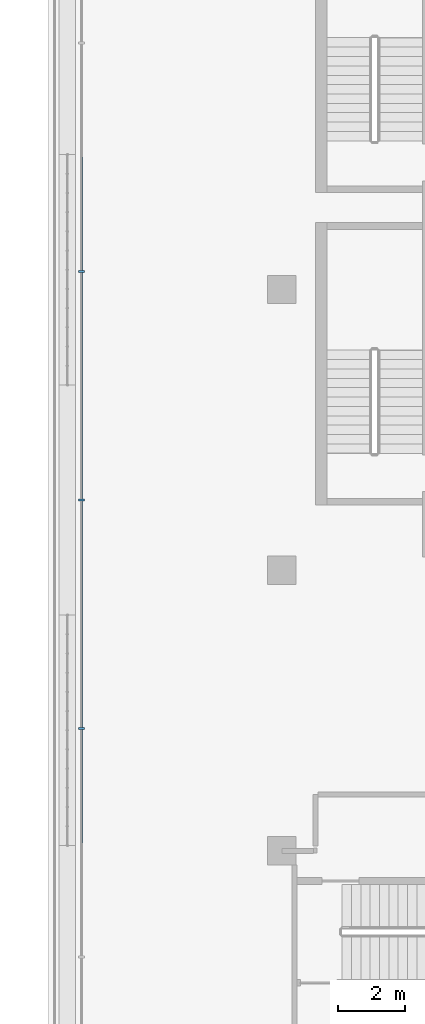
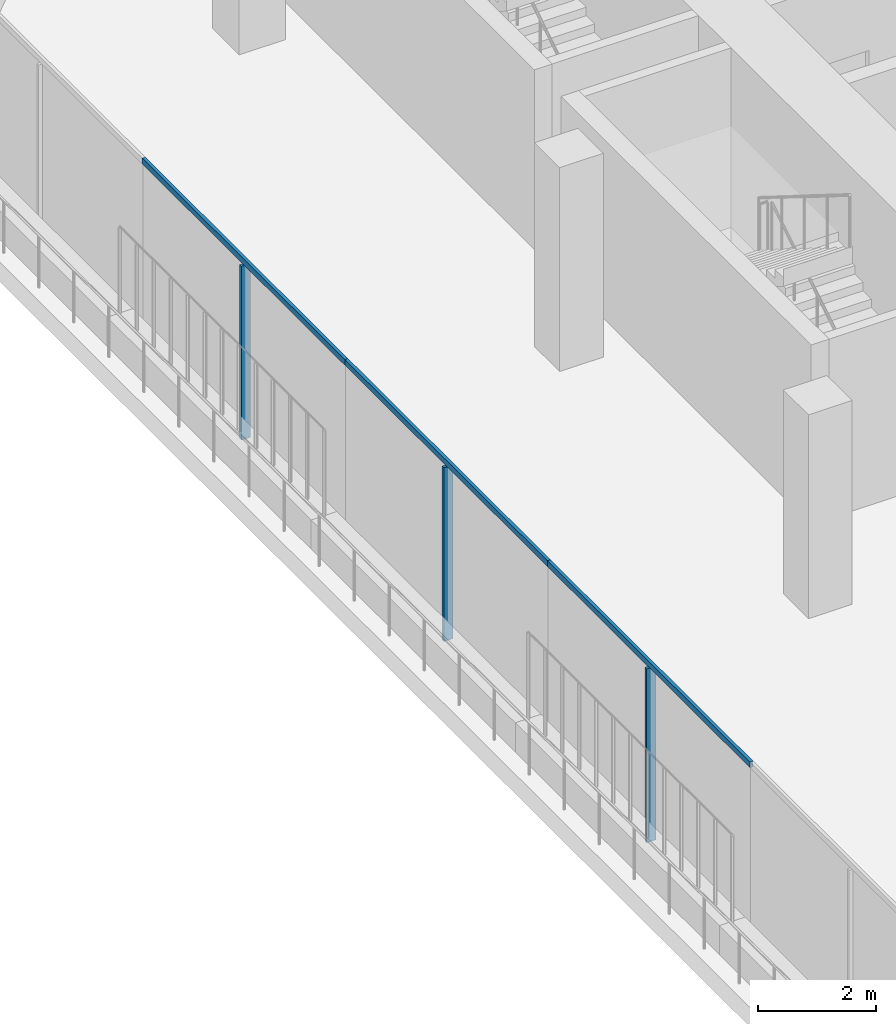
# One storey, part 3 of 23: 6 members, 1 element without a shape of its own.
"""IFC4 building model written with IfcOpenShell, lengths in metres."""

from ifc_helpers import new_model, si_unit, direction, frame, origin, origin_2d, place, context, subcontext, project, spatial, rectangle, extrude, material, layer, layer_set, material_profile, profile_set, type_object, element, aggregate, save


model = new_model("IFC4")

# Units and contexts
model_context = context("Model", 3, precision=1e-05, world=origin(), true_north=direction((0.0, 1.0)))
body_context = subcontext(model_context, "Body", "Model", "MODEL_VIEW")
ifc_project = project(units=[si_unit("LENGTHUNIT", "METRE"), si_unit("AREAUNIT", "SQUARE_METRE"), si_unit("VOLUMEUNIT", "CUBIC_METRE"), si_unit("PLANEANGLEUNIT", "RADIAN"), si_unit("MASSUNIT", "GRAM", prefix="KILO")], contexts=[model_context])

# Site, building, storey
site_placement = place(None, origin())
site = spatial("IfcSite", under=ifc_project, at=site_placement, CompositionType="ELEMENT")
building_placement = place(site_placement, origin())
building = spatial("IfcBuilding", under=site, at=building_placement, Name="Kawkab Arch Medical Tower", CompositionType="ELEMENT")
storey_placement = place(building_placement, frame((0.0, 0.0, 268.39990234375)))
storey = spatial("IfcBuildingStorey", under=building, at=storey_placement, Name="L62", CompositionType="ELEMENT", Elevation=268.39990234375)

# Curtain wall, members
ifc_material_1 = material(Name="Bronze anodised aluminium curtain wall frame", Category="aluminium")
ifc_layer = layer(ifc_material_1, 0.159912109375)
ifc_layer_set = layer_set([ifc_layer], Name="Bronze anodised aluminium curtain wall frame")
curtain_wall_type = type_object("IfcCurtainWallType", Name="CW1 ward curtain wall", PredefinedType="NOTDEFINED", material=ifc_layer_set)
curtain_wall_placement = place(storey_placement, origin())
curtain_wall = element("IfcCurtainWall", 1, at=curtain_wall_placement, inside=storey, type_object=curtain_wall_type, Name="CW1 Ward curtain wall R01", PredefinedType="NOTDEFINED")
ifc_material_2 = material(Name="Bronze anodised aluminium curtain wall frame", Category="aluminium")
ifc_material_profile_1 = material_profile(ifc_material_2, rectangle(XDim=0.179931640625, YDim=0.06005859375, at=origin_2d()), Name="AL 60x180")
ifc_profile_set_1 = profile_set([ifc_material_profile_1], Name="Bronze anodised aluminium curtain wall frame")
member_type_1 = type_object("IfcMemberType", Name="CW1 mullion 60 x 180", PredefinedType="MULLION", material=ifc_profile_set_1)
member_1_placement = place(storey_placement, frame((-6.0, -16.260009765625, 0.0), z_axis=(0.0, 0.0, 1.0), x_axis=(1.0, 0.0, 0.0)))
member_1 = element("IfcMember", 2, at=member_1_placement, type_object=member_type_1, Name="CW1 mullion 2.1", PredefinedType="MULLION", context=body_context, shape_type="SweptSolid", body=[
    extrude(rectangle(XDim=0.179931640625, YDim=0.06005859375, at=origin_2d()), origin(), (0.0, 0.0, 1.0), 3.580078125),
])
member_2_placement = place(storey_placement, frame((-6.0, -23.10009765625, 0.0), z_axis=(0.0, 0.0, 1.0), x_axis=(1.0, 0.0, 0.0)))
member_2 = element("IfcMember", 3, at=member_2_placement, type_object=member_type_1, Name="CW1 mullion 3.1", PredefinedType="MULLION", context=body_context, shape_type="SweptSolid", body=[
    extrude(rectangle(XDim=0.179931640625, YDim=0.06005859375, at=origin_2d()), origin(), (0.0, 0.0, 1.0), 3.580078125),
])
member_3_placement = place(storey_placement, frame((-6.0, -29.93994140625, 0.0), z_axis=(0.0, 0.0, 1.0), x_axis=(1.0, 0.0, 0.0)))
member_3 = element("IfcMember", 4, at=member_3_placement, type_object=member_type_1, Name="CW1 mullion 4.1", PredefinedType="MULLION", context=body_context, shape_type="SweptSolid", body=[
    extrude(rectangle(XDim=0.179931640625, YDim=0.06005859375, at=origin_2d()), origin(), (0.0, 0.0, 1.0), 3.580078125),
])
ifc_material_3 = material(Name="Bronze anodised aluminium curtain wall frame", Category="aluminium")
ifc_material_profile_2 = material_profile(ifc_material_3, rectangle(XDim=0.06005859375, YDim=0.1201171875, at=origin_2d()), Name="AL 60x120")
ifc_profile_set_2 = profile_set([ifc_material_profile_2], Name="Bronze anodised aluminium curtain wall frame")
member_type_2 = type_object("IfcMemberType", Name="CW1 transom 120 x 60", PredefinedType="USERDEFINED", material=ifc_profile_set_2)
member_4_placement = place(storey_placement, frame((-6.0, -12.840087890625, 3.64013671875), z_axis=(0.0, -1.0, 0.0), x_axis=(1.0, 0.0, 0.0)))
member_4 = element("IfcMember", 5, at=member_4_placement, type_object=member_type_2, Name="CW1 transom 2", ObjectType="TRANSOM", PredefinedType="USERDEFINED", context=body_context, shape_type="SweptSolid", body=[
    extrude(rectangle(XDim=0.06005859375, YDim=0.1201171875, at=origin_2d()), origin(), (0.0, 0.0, 1.0), 6.83984375),
])
member_5_placement = place(storey_placement, frame((-6.0, -19.679931640625, 3.64013671875), z_axis=(0.0, -1.0, 0.0), x_axis=(1.0, 0.0, 0.0)))
member_5 = element("IfcMember", 6, at=member_5_placement, type_object=member_type_2, Name="CW1 transom 3", ObjectType="TRANSOM", PredefinedType="USERDEFINED", context=body_context, shape_type="SweptSolid", body=[
    extrude(rectangle(XDim=0.06005859375, YDim=0.1201171875, at=origin_2d()), origin(), (0.0, 0.0, 1.0), 6.840087890625),
])
member_6_placement = place(storey_placement, frame((-6.0, -26.52001953125, 3.64013671875), z_axis=(0.0, -1.0, 0.0), x_axis=(1.0, 0.0, 0.0)))
member_6 = element("IfcMember", 7, at=member_6_placement, type_object=member_type_2, Name="CW1 transom 4", ObjectType="TRANSOM", PredefinedType="USERDEFINED", context=body_context, shape_type="SweptSolid", body=[
    extrude(rectangle(XDim=0.06005859375, YDim=0.1201171875, at=origin_2d()), origin(), (0.0, 0.0, 1.0), 6.840087890625),
])
aggregate(curtain_wall, [member_4, member_1, member_5, member_2, member_6, member_3])

save(model, "model.ifc")
